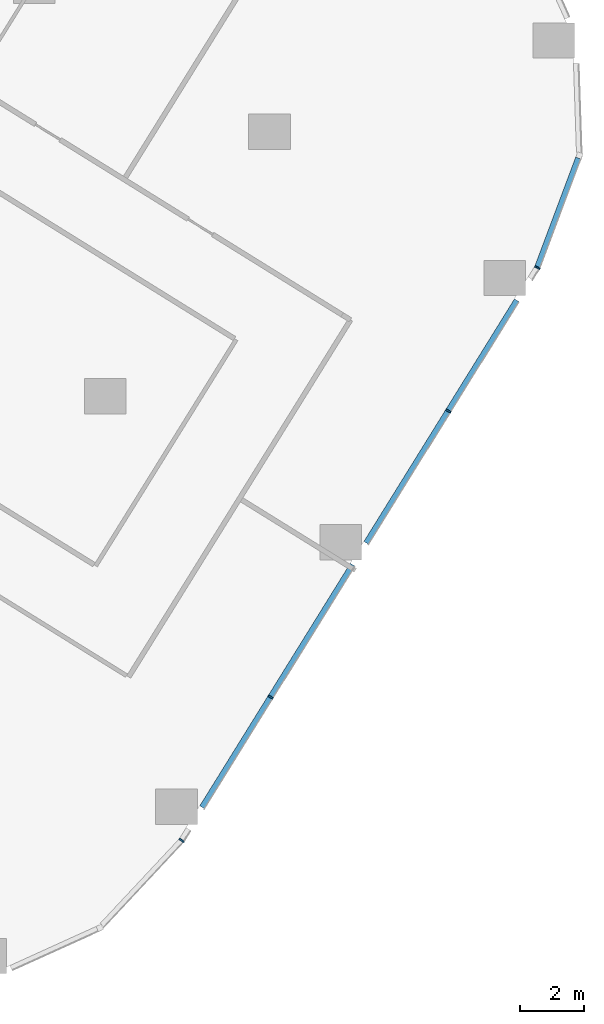
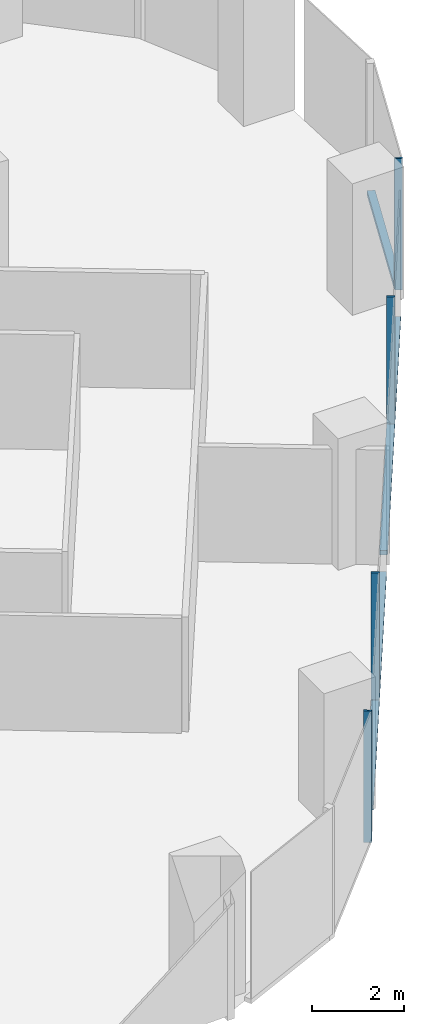
# One storey, part 9 of 34: 7 members, 3 elements without a shape of their own.
"""IFC4 building model written with IfcOpenShell, lengths in metres."""

from ifc_helpers import new_model, si_unit, direction, frame, origin, origin_2d, place, context, subcontext, project, spatial, rectangle, extrude, material, material_profile, profile_set, type_object, element, aggregate, save


model = new_model("IFC4")

# Units and contexts
model_context = context("Model", 3, precision=1e-05, world=origin(), true_north=direction((0.0, 1.0)))
body_context = subcontext(model_context, "Body", "Model", "MODEL_VIEW")
ifc_project = project(units=[si_unit("LENGTHUNIT", "METRE"), si_unit("AREAUNIT", "SQUARE_METRE"), si_unit("VOLUMEUNIT", "CUBIC_METRE"), si_unit("PLANEANGLEUNIT", "RADIAN"), si_unit("MASSUNIT", "GRAM", prefix="KILO")], contexts=[model_context])

# Site, building, storey
site_placement = place(None, origin())
site = spatial("IfcSite", under=ifc_project, at=site_placement, CompositionType="ELEMENT")
building_placement = place(site_placement, origin())
building = spatial("IfcBuilding", under=site, at=building_placement, Name="Orlundy Tower", CompositionType="ELEMENT")
storey_placement = place(building_placement, frame((0.0, 0.0, 40.800048828125)))
storey = spatial("IfcBuildingStorey", under=building, at=storey_placement, Name="L08", CompositionType="ELEMENT", Elevation=40.800048828125)

# Curtain wall, members
ifc_material_1 = material(Name="Aluminium bronze anodised", Category="aluminium")
curtain_wall_type = type_object("IfcCurtainWallType", Name="CW1 wall", PredefinedType="NOTDEFINED", material=ifc_material_1)
curtain_wall_1_placement = place(storey_placement, origin())
curtain_wall_1 = element("IfcCurtainWall", 1, at=curtain_wall_1_placement, inside=storey, type_object=curtain_wall_type, Name="CW1 run 011", PredefinedType="NOTDEFINED")
ifc_material_2 = material(Name="Aluminium bronze anodised", Category="aluminium")
ifc_material_profile_1 = material_profile(ifc_material_2, rectangle(XDim=0.179931640625, YDim=0.050048828125, at=origin_2d()), Name="CW1 mullion 50x180")
ifc_profile_set_1 = profile_set([ifc_material_profile_1], Name="Aluminium bronze anodised")
member_type_1 = type_object("IfcMemberType", Name="CW1 mullion 50x180", PredefinedType="MULLION", material=ifc_profile_set_1)
member_1_placement = place(storey_placement, frame((56.170166015625, -22.5029296875, -0.420166015625), z_axis=(0.0, 0.0, 1.0), x_axis=(0.897195117348, -0.441634375255, 0.0)))
member_1 = element("IfcMember", 2, at=member_1_placement, type_object=member_type_1, Name="CW1 mullion 36", PredefinedType="MULLION", context=body_context, shape_type="SweptSolid", body=[
    extrude(rectangle(XDim=0.179931640625, YDim=0.050048828125, at=origin_2d()), origin(), (0.0, 0.0, 1.0), 3.5),
])
member_2_placement = place(storey_placement, frame((53.396240234375, -26.970703125, -0.420166015625), z_axis=(0.0, 0.0, 1.0), x_axis=(0.849570263059, -0.527475466848, 0.0)))
member_2 = element("IfcMember", 3, at=member_2_placement, type_object=member_type_1, Name="CW1 mullion 37", PredefinedType="MULLION", context=body_context, shape_type="SweptSolid", body=[
    extrude(rectangle(XDim=0.179931640625, YDim=0.050048828125, at=origin_2d()), origin(), (0.0, 0.0, 1.0), 3.5),
])
member_3_placement = place(storey_placement, frame((47.857666015625, -35.89111328125, -0.420166015625), z_axis=(0.0, 0.0, 1.0), x_axis=(0.849570263059, -0.527475466848, 0.0)))
member_3 = element("IfcMember", 4, at=member_3_placement, type_object=member_type_1, Name="CW1 mullion 39", PredefinedType="MULLION", context=body_context, shape_type="SweptSolid", body=[
    extrude(rectangle(XDim=0.179931640625, YDim=0.050048828125, at=origin_2d()), origin(), (0.0, 0.0, 1.0), 3.5),
])

# Curtain wall, member
curtain_wall_2_placement = place(storey_placement, origin())
curtain_wall_2 = element("IfcCurtainWall", 5, at=curtain_wall_2_placement, inside=storey, type_object=curtain_wall_type, Name="CW1 run 012", PredefinedType="NOTDEFINED")
member_4_placement = place(storey_placement, frame((45.083740234375, -40.35888671875, -0.420166015625), z_axis=(0.0, 0.0, 1.0), x_axis=(0.793768151069, -0.608220455385, 0.0)))
member_4 = element("IfcMember", 6, at=member_4_placement, type_object=member_type_1, Name="CW1 mullion 40", PredefinedType="MULLION", context=body_context, shape_type="SweptSolid", body=[
    extrude(rectangle(XDim=0.179931640625, YDim=0.050048828125, at=origin_2d()), origin(), (0.0, 0.0, 1.0), 3.5),
])
aggregate(curtain_wall_2, [member_4])

curtain_wall_3_placement = place(storey_placement, origin())
curtain_wall_3 = element("IfcCurtainWall", 7, at=curtain_wall_3_placement, inside=storey, type_object=curtain_wall_type, Name="CW1 run 010", PredefinedType="NOTDEFINED")
ifc_material_3 = material(Name="Aluminium bronze anodised", Category="aluminium")
ifc_material_profile_2 = material_profile(ifc_material_3, rectangle(XDim=0.179931640625, YDim=0.1201171875, at=origin_2d()), Name="CW1 transom 180x120")
ifc_profile_set_2 = profile_set([ifc_material_profile_2], Name="Aluminium bronze anodised")
member_type_2 = type_object("IfcMemberType", Name="CW1 transom 180x120", PredefinedType="USERDEFINED", material=ifc_profile_set_2)
member_5_placement = place(storey_placement, frame((57.450927734375, -19.092041015625, -0.360107421875), z_axis=(-0.351530090139, -0.936176583624, 0.0), x_axis=(0.936176583624, -0.351530090139, 0.0)))
member_5 = element("IfcMember", 8, at=member_5_placement, type_object=member_type_2, Name="CW1 transom", ObjectType="TRANSOM", PredefinedType="USERDEFINED", context=body_context, shape_type="SweptSolid", body=[
    extrude(rectangle(XDim=0.179931640625, YDim=0.1201171875, at=origin_2d()), origin(), (0.0, 0.0, 1.0), 3.618408203125),
])
aggregate(curtain_wall_3, [member_5])

# Member
member_6_placement = place(storey_placement, frame((55.534912109375, -23.52587890625, -0.360107421875), z_axis=(-0.527463931619, -0.849577424865, 0.0), x_axis=(0.849577424865, -0.527463931619, 0.0)))
member_6 = element("IfcMember", 9, at=member_6_placement, type_object=member_type_2, Name="CW1 transom", ObjectType="TRANSOM", PredefinedType="USERDEFINED", context=body_context, shape_type="SweptSolid", body=[
    extrude(rectangle(XDim=0.179931640625, YDim=0.1201171875, at=origin_2d()), origin(), (0.0, 0.0, 1.0), 8.89892578125),
])

member_7_placement = place(storey_placement, frame((50.418212890625, -31.76708984375, -0.360107421875), z_axis=(-0.527459145576, -0.849580396283, 0.0), x_axis=(0.849580396283, -0.527459145576, 0.0)))
member_7 = element("IfcMember", 10, at=member_7_placement, type_object=member_type_2, Name="CW1 transom", ObjectType="TRANSOM", PredefinedType="USERDEFINED", context=body_context, shape_type="SweptSolid", body=[
    extrude(rectangle(XDim=0.179931640625, YDim=0.1201171875, at=origin_2d()), origin(), (0.0, 0.0, 1.0), 8.8994140625),
])

aggregate(curtain_wall_1, [member_1, member_2, member_3, member_6, member_7])

save(model, "model.ifc")
